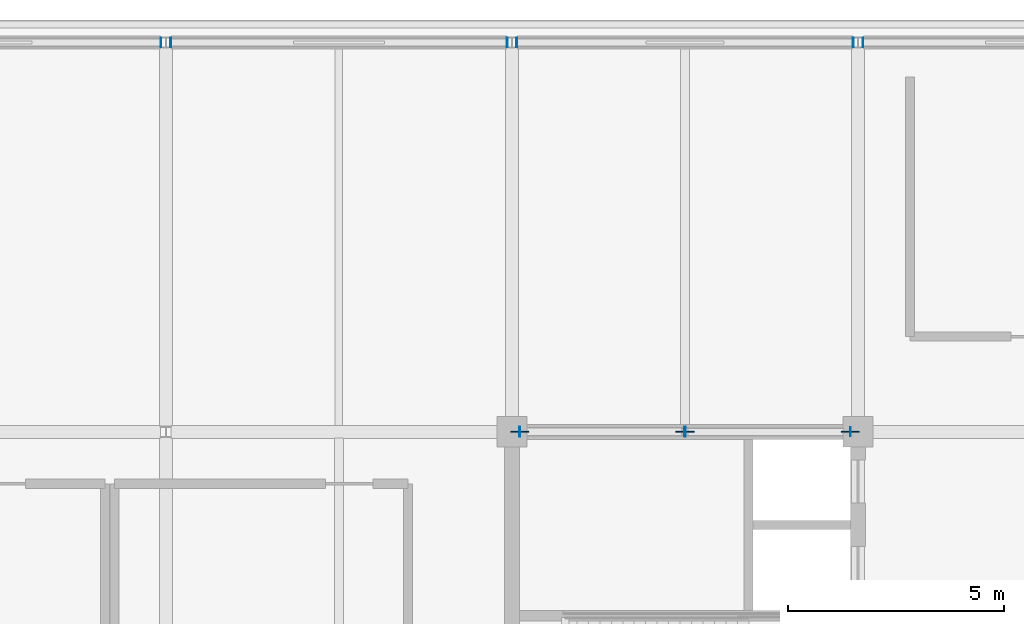
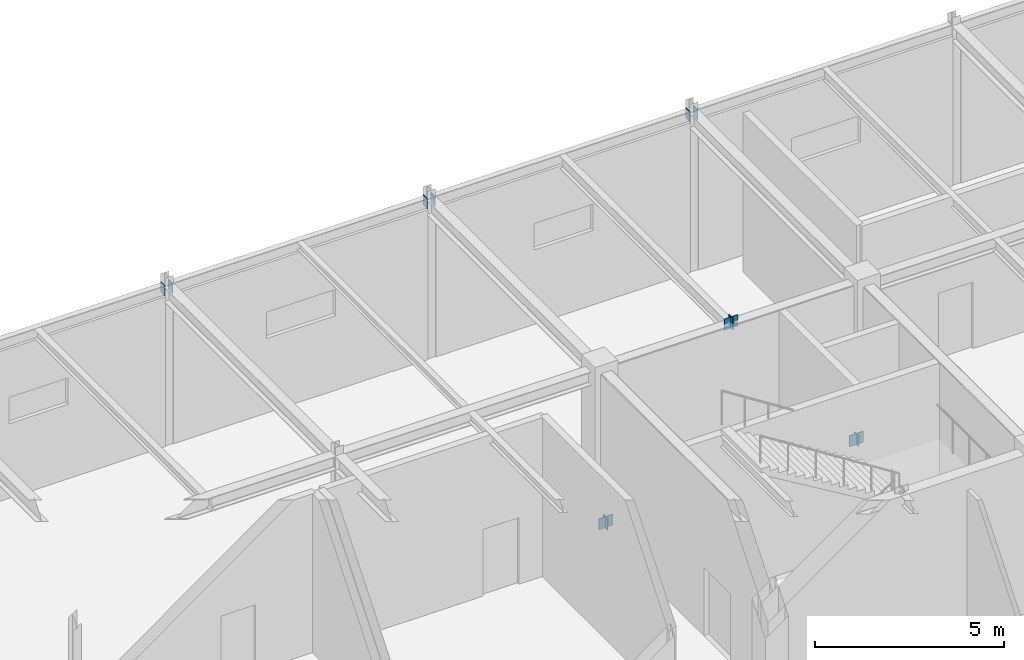
# One storey, part 145 of 184: 13 plates.
"""IFC4 building model written with IfcOpenShell, lengths in metres."""

from ifc_helpers import new_model, si_unit, direction, frame, origin, origin_2d, place, context, subcontext, project, spatial, rectangle, extrude, material, layer, layer_set, type_object, element, save


model = new_model("IFC4")

# Units and contexts
model_context = context("Model", 3, precision=1e-05, world=origin(), true_north=direction((0.0, 1.0)))
body_context = subcontext(model_context, "Body", "Model", "MODEL_VIEW")
ifc_project = project(units=[si_unit("LENGTHUNIT", "METRE"), si_unit("AREAUNIT", "SQUARE_METRE"), si_unit("VOLUMEUNIT", "CUBIC_METRE"), si_unit("PLANEANGLEUNIT", "RADIAN"), si_unit("MASSUNIT", "GRAM", prefix="KILO")], contexts=[model_context])

# Site, building, storey
site_placement = place(None, origin())
site = spatial("IfcSite", under=ifc_project, at=site_placement, CompositionType="ELEMENT")
building_placement = place(site_placement, origin())
building = spatial("IfcBuilding", under=site, at=building_placement, Name="Zhaolan Boulevard Law Courts", CompositionType="ELEMENT")
storey_placement = place(building_placement, frame((0.0, 0.0, 5.39990234375)))
storey = spatial("IfcBuildingStorey", under=building, at=storey_placement, Name="L01", CompositionType="ELEMENT", Elevation=5.39990234375)

# Plates
ifc_material_1 = material(Name="Structural steel Q355B", Category="steel")
ifc_layer_1 = layer(ifc_material_1, 0.02392578125)
ifc_layer_set_1 = layer_set([ifc_layer_1])
plate_type_1 = type_object("IfcPlateType", Name="BRACE GUSSET PLATE 24", PredefinedType="SHEET", material=ifc_layer_set_1)
for number, where, z_axis, x_axis, name in (
    (1, (76.179931640625, 103.0, -0.14990234375), (0.0, 0.0, 1.0), (1.0, 0.0, 0.0), "Brace Gusset Connection Plate GP-C1-L01-NA1"),
    (2, (83.820068359375, 103.0, -0.14990234375), (0.0, 0.0, 1.0), (1.0, 0.0, 0.0), "Brace Gusset Connection Plate GP-C1-L01-NA2"),
    (3, (80.0, 103.0, 4.93994140625), (0.0, 0.0, 1.0), (1.0, 0.0, 0.0), "Brace Gusset Connection Plate GP-C1-L01-NAPX"),
):
    element("IfcPlate", number, at=place(storey_placement, frame(where, z_axis=z_axis, x_axis=x_axis)), inside=storey, type_object=plate_type_1, Name=name, PredefinedType="SHEET", context=body_context, shape_type="SweptSolid", body=[
        extrude(rectangle(XDim=0.419921875, YDim=0.02392578125, at=origin_2d()), origin(), (0.0, 0.0, 1.0), 0.360107421875),
    ])
ifc_material_2 = material(Name="Structural steel Q355B", Category="steel")
ifc_layer_2 = layer(ifc_material_2, 0.02001953125)
ifc_layer_set_2 = layer_set([ifc_layer_2])
plate_type_2 = type_object("IfcPlateType", Name="END CAP PLATE 20", PredefinedType="SHEET", material=ifc_layer_set_2)
for number, where, z_axis, x_axis, name in (
    (4, (67.886962890625, 112.0, 4.822998046875), (0.0, 0.0, 1.0), (1.0, 0.0, 0.0), "Hollow Section End-Cap Plate ECP-0866"),
    (5, (68.113037109375, 112.0, 4.822998046875), (0.0, 0.0, 1.0), (1.0, 0.0, 0.0), "Hollow Section End-Cap Plate ECP-0867"),
    (6, (75.886962890625, 112.0, 4.822998046875), (0.0, 0.0, 1.0), (1.0, 0.0, 0.0), "Hollow Section End-Cap Plate ECP-0868"),
    (7, (76.113037109375, 112.0, 4.822998046875), (0.0, 0.0, 1.0), (1.0, 0.0, 0.0), "Hollow Section End-Cap Plate ECP-0869"),
    (8, (83.886962890625, 112.0, 4.822998046875), (0.0, 0.0, 1.0), (1.0, 0.0, 0.0), "Hollow Section End-Cap Plate ECP-0870"),
    (9, (84.113037109375, 112.0, 4.822998046875), (0.0, 0.0, 1.0), (1.0, 0.0, 0.0), "Hollow Section End-Cap Plate ECP-0871"),
):
    element("IfcPlate", number, at=place(storey_placement, frame(where, z_axis=z_axis, x_axis=x_axis)), inside=storey, type_object=plate_type_2, Name=name, PredefinedType="SHEET", context=body_context, shape_type="SweptSolid", body=[
        extrude(rectangle(XDim=0.02001953125, YDim=0.22998046875, at=origin_2d()), origin(), (0.0, 0.0, 1.0), 0.330078125),
    ])
for number, where, z_axis, x_axis, name in (
    (10, (76.17529296875, 103.0, -0.16796875), (0.0, 0.0, 1.0), (1.0, 0.0, 0.0), "Hollow Section End-Cap Plate ECP-1399"),
    (11, (80.0048828125, 103.0, 4.93505859375), (0.0, 0.0, 1.0), (1.0, 0.0, 0.0), "Hollow Section End-Cap Plate ECP-1400"),
):
    element("IfcPlate", number, at=place(storey_placement, frame(where, z_axis=z_axis, x_axis=x_axis)), inside=storey, type_object=plate_type_2, Name=name, PredefinedType="SHEET", context=body_context, shape_type="SweptSolid", body=[
        extrude(rectangle(XDim=0.02001953125, YDim=0.22998046875, at=origin_2d()), origin(), (0.0, 0.0, 1.0), 0.383056640625),
    ])
for number, where, z_axis, x_axis, name in (
    (12, (83.82470703125, 103.0, -0.1513671875), (0.0, 0.0, 1.0), (-1.0, 0.0, 0.0), "Hollow Section End-Cap Plate ECP-1401"),
    (13, (79.9951171875, 103.0, 4.951416015625), (0.0, 0.0, 1.0), (-1.0, 0.0, 0.0), "Hollow Section End-Cap Plate ECP-1402"),
):
    element("IfcPlate", number, at=place(storey_placement, frame(where, z_axis=z_axis, x_axis=x_axis)), inside=storey, type_object=plate_type_2, Name=name, PredefinedType="SHEET", context=body_context, shape_type="SweptSolid", body=[
        extrude(rectangle(XDim=0.02001953125, YDim=0.2099609375, at=origin_2d()), origin(), (0.0, 0.0, 1.0), 0.35009765625),
    ])

save(model, "model.ifc")
